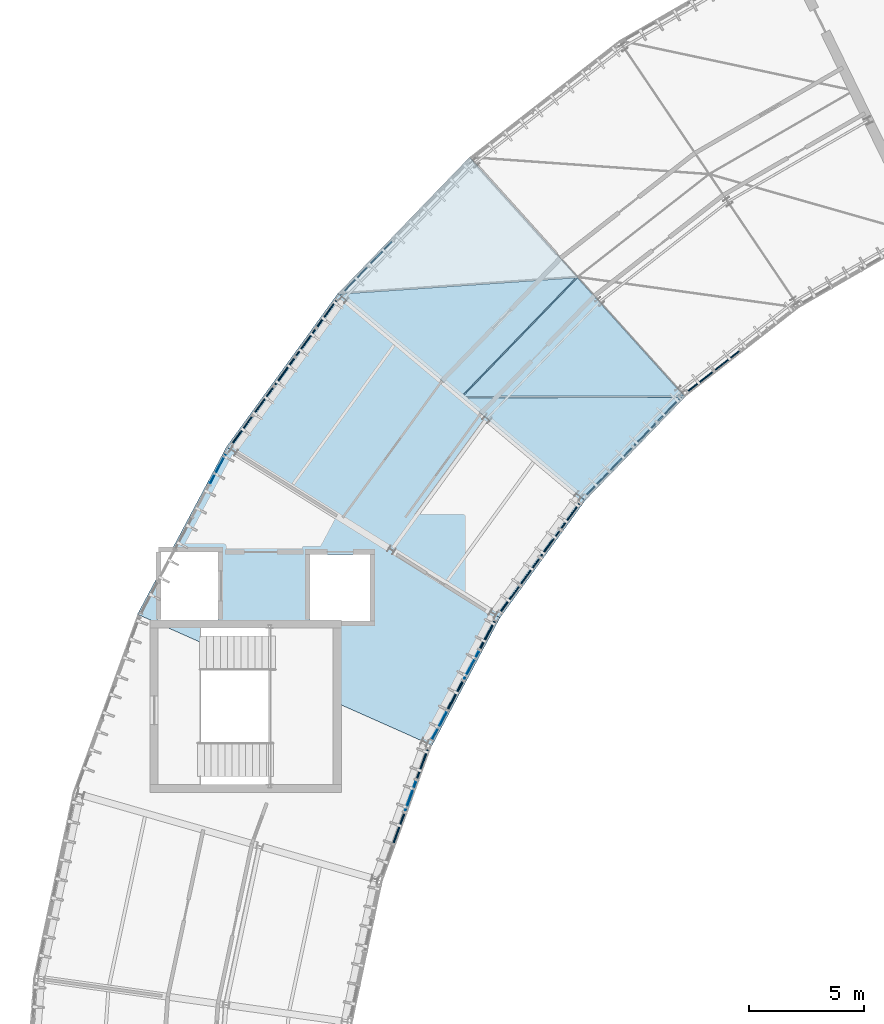
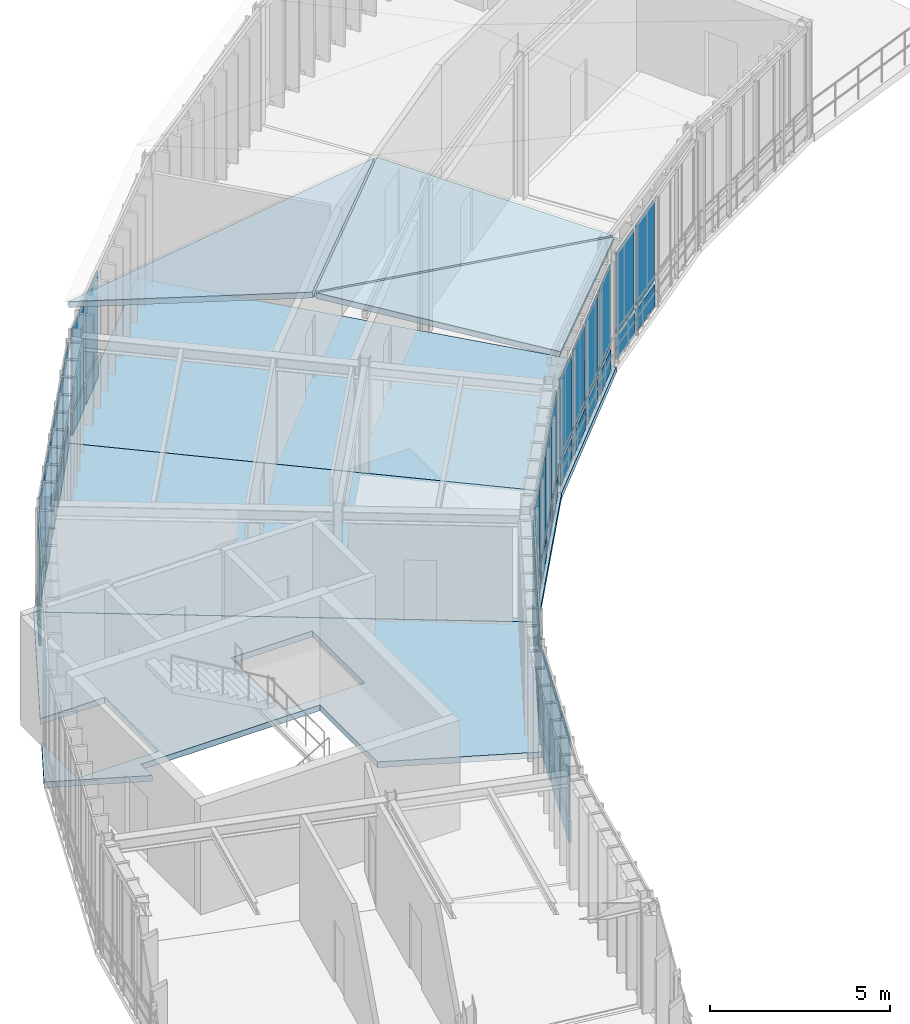
# One storey, part 11 of 25: 50 plates, 6 slabs, 8 elements without a shape of their own.
"""IFC4 building model written with IfcOpenShell, lengths in metres."""

from ifc_helpers import new_model, si_unit, direction, frame, origin, origin_2d, place, context, subcontext, project, spatial, polyline, rectangle, outline, extrude, material, layer, layer_set, type_object, element, aggregate, save


model = new_model("IFC4")

# Units and contexts
model_context = context("Model", 3, precision=1e-05, world=origin(), true_north=direction((0.0, 1.0)))
body_context = subcontext(model_context, "Body", "Model", "MODEL_VIEW")
ifc_project = project(units=[si_unit("LENGTHUNIT", "METRE"), si_unit("AREAUNIT", "SQUARE_METRE"), si_unit("VOLUMEUNIT", "CUBIC_METRE"), si_unit("PLANEANGLEUNIT", "RADIAN"), si_unit("MASSUNIT", "GRAM", prefix="KILO"), si_unit("THERMODYNAMICTEMPERATUREUNIT", "KELVIN"), si_unit("POWERUNIT", "WATT")], contexts=[model_context])

# Site, building, storey
site_placement = place(None, origin())
site = spatial("IfcSite", under=ifc_project, at=site_placement, CompositionType="ELEMENT")
building_placement = place(site_placement, origin())
building = spatial("IfcBuilding", under=site, at=building_placement, Name="Solvatero Civic Police Headquarters", CompositionType="ELEMENT")
storey_placement = place(building_placement, frame((0.0, 0.0, 25.5)))
storey = spatial("IfcBuildingStorey", under=building, at=storey_placement, Name="L06", CompositionType="ELEMENT", Elevation=25.5)

# Curtain wall, plate
ifc_material_1 = material(Name="Anodized Bronze Aluminium", Category="aluminium")
ifc_layer_1 = layer(ifc_material_1, 0.179931640625)
ifc_layer_set_1 = layer_set([ifc_layer_1], Name="Anodized Bronze Aluminium")
curtain_wall_type_1 = type_object("IfcCurtainWallType", Name="CW-ARC-IN", PredefinedType="USERDEFINED", material=ifc_layer_set_1)
curtain_wall_1_placement = place(storey_placement, origin())
curtain_wall_1 = element("IfcCurtainWall", 1, at=curtain_wall_1_placement, inside=storey, type_object=curtain_wall_type_1, Name="Curtain Wall CW-R2-L06-ARC-IN-B06", ObjectType="UNITISED", PredefinedType="USERDEFINED")
ifc_material_2 = material(Name="Triple Low-E Laminated Glass", Category="glass")
ifc_layer_2 = layer(ifc_material_2, 0.0380859375)
ifc_layer_set_2 = layer_set([ifc_layer_2], Name="Triple Low-E Laminated Glass")
plate_type_1 = type_object("IfcPlateType", Name="CWP-GLZ-38", PredefinedType="CURTAIN_PANEL", material=ifc_layer_set_2)
plate_1_placement = place(storey_placement, frame((64.53271484375, 60.09619140625, 0.909912109375), z_axis=(0.0, 0.0, 1.0), x_axis=(-0.788010753607, -0.615661475326, 0.0)))
plate_1 = element("IfcPlate", 2, at=plate_1_placement, type_object=plate_type_1, Name="CW-R2-L06-ARC-IN-B06 Vision Glazing 4", PredefinedType="CURTAIN_PANEL", context=body_context, shape_type="SweptSolid", body=[
    extrude(rectangle(XDim=1.309326171875, YDim=0.0380859375, at=origin_2d()), origin(), (0.0, 0.0, 1.0), 2.72998046875),
])

ifc_layer_3 = layer(ifc_material_1, 0.179931640625)
ifc_layer_set_3 = layer_set([ifc_layer_3], Name="Anodized Bronze Aluminium")
curtain_wall_type_2 = type_object("IfcCurtainWallType", Name="CW-ARC-OUT", PredefinedType="USERDEFINED", material=ifc_layer_set_3)
curtain_wall_2_placement = place(storey_placement, origin())
curtain_wall_2 = element("IfcCurtainWall", 3, at=curtain_wall_2_placement, inside=storey, type_object=curtain_wall_type_2, Name="Curtain Wall CW-R2-L06-ARC-OUT-B07", ObjectType="UNITISED", PredefinedType="USERDEFINED")
plate_2_placement = place(storey_placement, frame((49.57421875, 64.55029296875, 0.909912109375), z_axis=(0.0, 0.0, 1.0), x_axis=(-0.694658370459, -0.719339800339, 0.0)))
plate_2 = element("IfcPlate", 4, at=plate_2_placement, type_object=plate_type_1, Name="CW-R2-L06-ARC-OUT-B07 Vision Glazing 5", PredefinedType="CURTAIN_PANEL", context=body_context, shape_type="SweptSolid", body=[
    extrude(rectangle(XDim=1.382568359375, YDim=0.0380859375, at=origin_2d()), origin(), (0.0, 0.0, 1.0), 2.72998046875),
])

# Curtain wall, plates
curtain_wall_3_placement = place(storey_placement, origin())
curtain_wall_3 = element("IfcCurtainWall", 5, at=curtain_wall_3_placement, inside=storey, type_object=curtain_wall_type_1, Name="Curtain Wall CW-R2-L06-ARC-IN-B07", ObjectType="UNITISED", PredefinedType="USERDEFINED")
plate_3_placement = place(storey_placement, frame((62.13623046875, 57.798583984375, 0.909912109375), z_axis=(0.0, 0.0, 1.0), x_axis=(-0.694645815505, -0.719351924305, 0.0)))
plate_3 = element("IfcPlate", 6, at=plate_3_placement, type_object=plate_type_1, Name="CW-R2-L06-ARC-IN-B07 Vision Glazing 2", PredefinedType="CURTAIN_PANEL", context=body_context, shape_type="SweptSolid", body=[
    extrude(rectangle(XDim=1.30908203125, YDim=0.0380859375, at=origin_2d()), origin(), (0.0, 0.0, 1.0), 2.72998046875),
])
plate_4_placement = place(storey_placement, frame((60.067138671875, 55.656005859375, 0.909912109375), z_axis=(0.0, 0.0, 1.0), x_axis=(-0.694645815505, -0.719351924305, 0.0)))
plate_4 = element("IfcPlate", 7, at=plate_4_placement, type_object=plate_type_1, Name="CW-R2-L06-ARC-IN-B07 Vision Glazing 4", PredefinedType="CURTAIN_PANEL", context=body_context, shape_type="SweptSolid", body=[
    extrude(rectangle(XDim=1.30908203125, YDim=0.0380859375, at=origin_2d()), origin(), (0.0, 0.0, 1.0), 2.72998046875),
])

curtain_wall_4_placement = place(storey_placement, origin())
curtain_wall_4 = element("IfcCurtainWall", 8, at=curtain_wall_4_placement, inside=storey, type_object=curtain_wall_type_2, Name="Curtain Wall CW-R2-L06-ARC-OUT-B08", ObjectType="UNITISED", PredefinedType="USERDEFINED")
plate_5_placement = place(storey_placement, frame((48.32080078125, 63.056640625, 0.909912109375), z_axis=(0.0, 0.0, 1.0), x_axis=(-0.587785252292, -0.809016994375, 0.0)))
plate_5 = element("IfcPlate", 9, at=plate_5_placement, type_object=plate_type_1, Name="CW-R2-L06-ARC-OUT-B08 Vision Glazing 1", PredefinedType="CURTAIN_PANEL", context=body_context, shape_type="SweptSolid", body=[
    extrude(rectangle(XDim=1.382568359375, YDim=0.0380859375, at=origin_2d()), origin(), (0.0, 0.0, 1.0), 2.72998046875),
])
plate_6_placement = place(storey_placement, frame((46.484130859375, 60.528564453125, 0.909912109375), z_axis=(0.0, 0.0, 1.0), x_axis=(-0.587785252292, -0.809016994375, 0.0)))
plate_6 = element("IfcPlate", 10, at=plate_6_placement, type_object=plate_type_1, Name="CW-R2-L06-ARC-OUT-B08 Vision Glazing 3", PredefinedType="CURTAIN_PANEL", context=body_context, shape_type="SweptSolid", body=[
    extrude(rectangle(XDim=1.382568359375, YDim=0.0380859375, at=origin_2d()), origin(), (0.0, 0.0, 1.0), 2.72998046875),
])
plate_7_placement = place(storey_placement, frame((44.647216796875, 58.000244140625, 0.909912109375), z_axis=(0.0, 0.0, 1.0), x_axis=(-0.587785252292, -0.809016994375, 0.0)))
plate_7 = element("IfcPlate", 11, at=plate_7_placement, type_object=plate_type_1, Name="CW-R2-L06-ARC-OUT-B08 Vision Glazing 5", PredefinedType="CURTAIN_PANEL", context=body_context, shape_type="SweptSolid", body=[
    extrude(rectangle(XDim=1.382568359375, YDim=0.0380859375, at=origin_2d()), origin(), (0.0, 0.0, 1.0), 2.72998046875),
])

curtain_wall_5_placement = place(storey_placement, origin())
curtain_wall_5 = element("IfcCurtainWall", 12, at=curtain_wall_5_placement, inside=storey, type_object=curtain_wall_type_1, Name="Curtain Wall CW-R2-L06-ARC-IN-B08", ObjectType="UNITISED", PredefinedType="USERDEFINED")
plate_8_placement = place(storey_placement, frame((58.026611328125, 53.062744140625, 0.909912109375), z_axis=(0.0, 0.0, 1.0), x_axis=(-0.587785252292, -0.809016994375, 0.0)))
plate_8 = element("IfcPlate", 13, at=plate_8_placement, type_object=plate_type_1, Name="CW-R2-L06-ARC-IN-B08 Vision Glazing 2", PredefinedType="CURTAIN_PANEL", context=body_context, shape_type="SweptSolid", body=[
    extrude(rectangle(XDim=1.30908203125, YDim=0.0380859375, at=origin_2d()), origin(), (0.0, 0.0, 1.0), 2.72998046875),
])
plate_9_placement = place(storey_placement, frame((56.27587890625, 50.653076171875, 0.909912109375), z_axis=(0.0, 0.0, 1.0), x_axis=(-0.587785252292, -0.809016994375, 0.0)))
plate_9 = element("IfcPlate", 14, at=plate_9_placement, type_object=plate_type_1, Name="CW-R2-L06-ARC-IN-B08 Vision Glazing 4", PredefinedType="CURTAIN_PANEL", context=body_context, shape_type="SweptSolid", body=[
    extrude(rectangle(XDim=1.30908203125, YDim=0.0380859375, at=origin_2d()), origin(), (0.0, 0.0, 1.0), 2.72998046875),
])

# Curtain wall, plate
curtain_wall_6_placement = place(storey_placement, origin())
curtain_wall_6 = element("IfcCurtainWall", 15, at=curtain_wall_6_placement, inside=storey, type_object=curtain_wall_type_2, Name="Curtain Wall CW-R2-L06-ARC-OUT-B09", ObjectType="UNITISED", PredefinedType="USERDEFINED")
plate_10_placement = place(storey_placement, frame((43.596923828125, 56.318115234375, 0.909912109375), z_axis=(0.0, 0.0, 1.0), x_axis=(-0.469471562786, -0.882947592859, 0.0)))
plate_10 = element("IfcPlate", 16, at=plate_10_placement, type_object=plate_type_1, Name="CW-R2-L06-ARC-OUT-B09 Vision Glazing 1", PredefinedType="CURTAIN_PANEL", context=body_context, shape_type="SweptSolid", body=[
    extrude(rectangle(XDim=1.40966796875, YDim=0.0380859375, at=origin_2d()), origin(), (0.0, 0.0, 1.0), 2.72998046875),
])

# Curtain wall, plates
curtain_wall_7_placement = place(storey_placement, origin())
curtain_wall_7 = element("IfcCurtainWall", 17, at=curtain_wall_7_placement, inside=storey, type_object=curtain_wall_type_1, Name="Curtain Wall CW-R2-L06-ARC-IN-B09", ObjectType="UNITISED", PredefinedType="USERDEFINED")
plate_11_placement = place(storey_placement, frame((54.605712890625, 47.783935546875, 0.909912109375), z_axis=(0.0, 0.0, 1.0), x_axis=(-0.469486973057, -0.8829393989, 0.0)))
plate_11 = element("IfcPlate", 18, at=plate_11_placement, type_object=plate_type_1, Name="CW-R2-L06-ARC-IN-B09 Vision Glazing 2", PredefinedType="CURTAIN_PANEL", context=body_context, shape_type="SweptSolid", body=[
    extrude(rectangle(XDim=1.30908203125, YDim=0.0380859375, at=origin_2d()), origin(), (0.0, 0.0, 1.0), 2.72998046875),
])
plate_12_placement = place(storey_placement, frame((53.207275390625, 45.154052734375, 0.909912109375), z_axis=(0.0, 0.0, 1.0), x_axis=(-0.469486973057, -0.8829393989, 0.0)))
plate_12 = element("IfcPlate", 19, at=plate_12_placement, type_object=plate_type_1, Name="CW-R2-L06-ARC-IN-B09 Vision Glazing 4", PredefinedType="CURTAIN_PANEL", context=body_context, shape_type="SweptSolid", body=[
    extrude(rectangle(XDim=1.30908203125, YDim=0.0380859375, at=origin_2d()), origin(), (0.0, 0.0, 1.0), 2.72998046875),
])

# Curtain wall, plate
curtain_wall_8_placement = place(storey_placement, origin())
curtain_wall_8 = element("IfcCurtainWall", 20, at=curtain_wall_8_placement, inside=storey, type_object=curtain_wall_type_1, Name="Curtain Wall CW-R2-L06-ARC-IN-B10", ObjectType="UNITISED", PredefinedType="USERDEFINED")
plate_13_placement = place(storey_placement, frame((51.960693359375, 42.098876953125, 0.909912109375), z_axis=(0.0, 0.0, 1.0), x_axis=(-0.342003742543, -0.93969859002, 0.0)))
plate_13 = element("IfcPlate", 21, at=plate_13_placement, type_object=plate_type_1, Name="CW-R2-L06-ARC-IN-B10 Vision Glazing 2", PredefinedType="CURTAIN_PANEL", context=body_context, shape_type="SweptSolid", body=[
    extrude(rectangle(XDim=1.30908203125, YDim=0.0380859375, at=origin_2d()), origin(), (0.0, 0.0, 1.0), 2.72998046875),
])

# Plate
ifc_material_3 = material(Name="Acoustic Ballistic Laminated Glass", Category="glass")
ifc_layer_4 = layer(ifc_material_3, 0.0439453125)
ifc_layer_set_4 = layer_set([ifc_layer_4], Name="Acoustic Ballistic Laminated Glass")
plate_type_2 = type_object("IfcPlateType", Name="CWP-GLZ-44", PredefinedType="CURTAIN_PANEL", material=ifc_layer_set_4)
plate_14_placement = place(storey_placement, frame((65.7060546875, 61.01318359375, 0.909912109375), z_axis=(0.0, 0.0, 1.0), x_axis=(-0.788010753607, -0.615661475326, 0.0)))
plate_14 = element("IfcPlate", 22, at=plate_14_placement, type_object=plate_type_2, Name="CW-R2-L06-ARC-IN-B06 Vision Glazing 3", PredefinedType="CURTAIN_PANEL", context=body_context, shape_type="SweptSolid", body=[
    extrude(rectangle(XDim=1.309326171875, YDim=0.0439453125, at=origin_2d()), origin(), (0.0, 0.0, 1.0), 2.72998046875),
])

plate_15_placement = place(storey_placement, frame((50.65966796875, 65.67431640625, 0.909912109375), z_axis=(0.0, 0.0, 1.0), x_axis=(-0.694658370459, -0.719339800339, 0.0)))
plate_15 = element("IfcPlate", 23, at=plate_15_placement, type_object=plate_type_2, Name="CW-R2-L06-ARC-OUT-B07 Vision Glazing 4", PredefinedType="CURTAIN_PANEL", context=body_context, shape_type="SweptSolid", body=[
    extrude(rectangle(XDim=1.382568359375, YDim=0.0439453125, at=origin_2d()), origin(), (0.0, 0.0, 1.0), 2.72998046875),
])

plate_16_placement = place(storey_placement, frame((63.170654296875, 58.869873046875, 0.909912109375), z_axis=(0.0, 0.0, 1.0), x_axis=(-0.694645815505, -0.719351924305, 0.0)))
plate_16 = element("IfcPlate", 24, at=plate_16_placement, type_object=plate_type_2, Name="CW-R2-L06-ARC-IN-B07 Vision Glazing 1", PredefinedType="CURTAIN_PANEL", context=body_context, shape_type="SweptSolid", body=[
    extrude(rectangle(XDim=1.30908203125, YDim=0.0439453125, at=origin_2d()), origin(), (0.0, 0.0, 1.0), 2.72998046875),
])

plate_17_placement = place(storey_placement, frame((61.101806640625, 56.727294921875, 0.909912109375), z_axis=(0.0, 0.0, 1.0), x_axis=(-0.694645815505, -0.719351924305, 0.0)))
plate_17 = element("IfcPlate", 25, at=plate_17_placement, type_object=plate_type_2, Name="CW-R2-L06-ARC-IN-B07 Vision Glazing 3", PredefinedType="CURTAIN_PANEL", context=body_context, shape_type="SweptSolid", body=[
    extrude(rectangle(XDim=1.30908203125, YDim=0.0439453125, at=origin_2d()), origin(), (0.0, 0.0, 1.0), 2.72998046875),
])

plate_18_placement = place(storey_placement, frame((47.402587890625, 61.79248046875, 0.909912109375), z_axis=(0.0, 0.0, 1.0), x_axis=(-0.587785252292, -0.809016994375, 0.0)))
plate_18 = element("IfcPlate", 26, at=plate_18_placement, type_object=plate_type_2, Name="CW-R2-L06-ARC-OUT-B08 Vision Glazing 2", PredefinedType="CURTAIN_PANEL", context=body_context, shape_type="SweptSolid", body=[
    extrude(rectangle(XDim=1.382568359375, YDim=0.0439453125, at=origin_2d()), origin(), (0.0, 0.0, 1.0), 2.72998046875),
])

plate_19_placement = place(storey_placement, frame((45.565673828125, 59.264404296875, 0.909912109375), z_axis=(0.0, 0.0, 1.0), x_axis=(-0.587785252292, -0.809016994375, 0.0)))
plate_19 = element("IfcPlate", 27, at=plate_19_placement, type_object=plate_type_2, Name="CW-R2-L06-ARC-OUT-B08 Vision Glazing 4", PredefinedType="CURTAIN_PANEL", context=body_context, shape_type="SweptSolid", body=[
    extrude(rectangle(XDim=1.382568359375, YDim=0.0439453125, at=origin_2d()), origin(), (0.0, 0.0, 1.0), 2.72998046875),
])

plate_20_placement = place(storey_placement, frame((58.902099609375, 54.267578125, 0.909912109375), z_axis=(0.0, 0.0, 1.0), x_axis=(-0.587785252292, -0.809016994375, 0.0)))
plate_20 = element("IfcPlate", 28, at=plate_20_placement, type_object=plate_type_2, Name="CW-R2-L06-ARC-IN-B08 Vision Glazing 1", PredefinedType="CURTAIN_PANEL", context=body_context, shape_type="SweptSolid", body=[
    extrude(rectangle(XDim=1.30908203125, YDim=0.0439453125, at=origin_2d()), origin(), (0.0, 0.0, 1.0), 2.72998046875),
])

plate_21_placement = place(storey_placement, frame((57.1513671875, 51.85791015625, 0.909912109375), z_axis=(0.0, 0.0, 1.0), x_axis=(-0.587785252292, -0.809016994375, 0.0)))
plate_21 = element("IfcPlate", 29, at=plate_21_placement, type_object=plate_type_2, Name="CW-R2-L06-ARC-IN-B08 Vision Glazing 3", PredefinedType="CURTAIN_PANEL", context=body_context, shape_type="SweptSolid", body=[
    extrude(rectangle(XDim=1.30908203125, YDim=0.0439453125, at=origin_2d()), origin(), (0.0, 0.0, 1.0), 2.72998046875),
])

plate_22_placement = place(storey_placement, frame((55.3046875, 49.098876953125, 0.909912109375), z_axis=(0.0, 0.0, 1.0), x_axis=(-0.469486973057, -0.8829393989, 0.0)))
plate_22 = element("IfcPlate", 30, at=plate_22_placement, type_object=plate_type_2, Name="CW-R2-L06-ARC-IN-B09 Vision Glazing 1", PredefinedType="CURTAIN_PANEL", context=body_context, shape_type="SweptSolid", body=[
    extrude(rectangle(XDim=1.30908203125, YDim=0.0439453125, at=origin_2d()), origin(), (0.0, 0.0, 1.0), 2.72998046875),
])

plate_23_placement = place(storey_placement, frame((53.906494140625, 46.468994140625, 0.909912109375), z_axis=(0.0, 0.0, 1.0), x_axis=(-0.469486973057, -0.8829393989, 0.0)))
plate_23 = element("IfcPlate", 31, at=plate_23_placement, type_object=plate_type_2, Name="CW-R2-L06-ARC-IN-B09 Vision Glazing 3", PredefinedType="CURTAIN_PANEL", context=body_context, shape_type="SweptSolid", body=[
    extrude(rectangle(XDim=1.30908203125, YDim=0.0439453125, at=origin_2d()), origin(), (0.0, 0.0, 1.0), 2.72998046875),
])

plate_24_placement = place(storey_placement, frame((52.469970703125, 43.498291015625, 0.909912109375), z_axis=(0.0, 0.0, 1.0), x_axis=(-0.342003742543, -0.93969859002, 0.0)))
plate_24 = element("IfcPlate", 32, at=plate_24_placement, type_object=plate_type_2, Name="CW-R2-L06-ARC-IN-B10 Vision Glazing 1", PredefinedType="CURTAIN_PANEL", context=body_context, shape_type="SweptSolid", body=[
    extrude(rectangle(XDim=1.30908203125, YDim=0.0439453125, at=origin_2d()), origin(), (0.0, 0.0, 1.0), 2.72998046875),
])

plate_25_placement = place(storey_placement, frame((51.451416015625, 40.699462890625, 0.909912109375), z_axis=(0.0, 0.0, 1.0), x_axis=(-0.342003742543, -0.93969859002, 0.0)))
plate_25 = element("IfcPlate", 33, at=plate_25_placement, type_object=plate_type_2, Name="CW-R2-L06-ARC-IN-B10 Vision Glazing 3", PredefinedType="CURTAIN_PANEL", context=body_context, shape_type="SweptSolid", body=[
    extrude(rectangle(XDim=1.30908203125, YDim=0.0439453125, at=origin_2d()), origin(), (0.0, 0.0, 1.0), 2.72998046875),
])

ifc_material_4 = material(Name="Insulated Bronze Aluminium Spandrel", Category="aluminium")
ifc_layer_5 = layer(ifc_material_4, 0.06005859375)
ifc_layer_set_5 = layer_set([ifc_layer_5], Name="Insulated Bronze Aluminium Spandrel")
plate_type_3 = type_object("IfcPlateType", Name="CWP-SPN-60", PredefinedType="CURTAIN_PANEL", material=ifc_layer_set_5)
plate_26_placement = place(storey_placement, frame((64.53271484375, 60.09619140625, 0.06005859375), z_axis=(0.0, 0.0, 1.0), x_axis=(-0.788010753607, -0.615661475326, 0.0)))
plate_26 = element("IfcPlate", 34, at=plate_26_placement, type_object=plate_type_3, Name="CW-R2-L06-ARC-IN-B06 Spandrel Panel 4", PredefinedType="CURTAIN_PANEL", context=body_context, shape_type="SweptSolid", body=[
    extrude(rectangle(XDim=1.309326171875, YDim=0.06005859375, at=origin_2d()), origin(), (0.0, 0.0, 1.0), 0.72998046875),
])

plate_27_placement = place(storey_placement, frame((49.57421875, 64.55029296875, 0.06005859375), z_axis=(0.0, 0.0, 1.0), x_axis=(-0.694658370459, -0.719339800339, 0.0)))
plate_27 = element("IfcPlate", 35, at=plate_27_placement, type_object=plate_type_3, Name="CW-R2-L06-ARC-OUT-B07 Spandrel Panel 5", PredefinedType="CURTAIN_PANEL", context=body_context, shape_type="SweptSolid", body=[
    extrude(rectangle(XDim=1.382568359375, YDim=0.06005859375, at=origin_2d()), origin(), (0.0, 0.0, 1.0), 0.72998046875),
])

plate_28_placement = place(storey_placement, frame((62.13623046875, 57.798583984375, 0.06005859375), z_axis=(0.0, 0.0, 1.0), x_axis=(-0.694645815505, -0.719351924305, 0.0)))
plate_28 = element("IfcPlate", 36, at=plate_28_placement, type_object=plate_type_3, Name="CW-R2-L06-ARC-IN-B07 Spandrel Panel 2", PredefinedType="CURTAIN_PANEL", context=body_context, shape_type="SweptSolid", body=[
    extrude(rectangle(XDim=1.30908203125, YDim=0.06005859375, at=origin_2d()), origin(), (0.0, 0.0, 1.0), 0.72998046875),
])

plate_29_placement = place(storey_placement, frame((60.067138671875, 55.656005859375, 0.06005859375), z_axis=(0.0, 0.0, 1.0), x_axis=(-0.694645815505, -0.719351924305, 0.0)))
plate_29 = element("IfcPlate", 37, at=plate_29_placement, type_object=plate_type_3, Name="CW-R2-L06-ARC-IN-B07 Spandrel Panel 4", PredefinedType="CURTAIN_PANEL", context=body_context, shape_type="SweptSolid", body=[
    extrude(rectangle(XDim=1.30908203125, YDim=0.06005859375, at=origin_2d()), origin(), (0.0, 0.0, 1.0), 0.72998046875),
])

plate_30_placement = place(storey_placement, frame((48.32080078125, 63.056640625, 0.06005859375), z_axis=(0.0, 0.0, 1.0), x_axis=(-0.587785252292, -0.809016994375, 0.0)))
plate_30 = element("IfcPlate", 38, at=plate_30_placement, type_object=plate_type_3, Name="CW-R2-L06-ARC-OUT-B08 Spandrel Panel 1", PredefinedType="CURTAIN_PANEL", context=body_context, shape_type="SweptSolid", body=[
    extrude(rectangle(XDim=1.382568359375, YDim=0.06005859375, at=origin_2d()), origin(), (0.0, 0.0, 1.0), 0.72998046875),
])

plate_31_placement = place(storey_placement, frame((46.484130859375, 60.528564453125, 0.06005859375), z_axis=(0.0, 0.0, 1.0), x_axis=(-0.587785252292, -0.809016994375, 0.0)))
plate_31 = element("IfcPlate", 39, at=plate_31_placement, type_object=plate_type_3, Name="CW-R2-L06-ARC-OUT-B08 Spandrel Panel 3", PredefinedType="CURTAIN_PANEL", context=body_context, shape_type="SweptSolid", body=[
    extrude(rectangle(XDim=1.382568359375, YDim=0.06005859375, at=origin_2d()), origin(), (0.0, 0.0, 1.0), 0.72998046875),
])

plate_32_placement = place(storey_placement, frame((44.647216796875, 58.000244140625, 0.06005859375), z_axis=(0.0, 0.0, 1.0), x_axis=(-0.587785252292, -0.809016994375, 0.0)))
plate_32 = element("IfcPlate", 40, at=plate_32_placement, type_object=plate_type_3, Name="CW-R2-L06-ARC-OUT-B08 Spandrel Panel 5", PredefinedType="CURTAIN_PANEL", context=body_context, shape_type="SweptSolid", body=[
    extrude(rectangle(XDim=1.382568359375, YDim=0.06005859375, at=origin_2d()), origin(), (0.0, 0.0, 1.0), 0.72998046875),
])

plate_33_placement = place(storey_placement, frame((58.026611328125, 53.062744140625, 0.06005859375), z_axis=(0.0, 0.0, 1.0), x_axis=(-0.587785252292, -0.809016994375, 0.0)))
plate_33 = element("IfcPlate", 41, at=plate_33_placement, type_object=plate_type_3, Name="CW-R2-L06-ARC-IN-B08 Spandrel Panel 2", PredefinedType="CURTAIN_PANEL", context=body_context, shape_type="SweptSolid", body=[
    extrude(rectangle(XDim=1.30908203125, YDim=0.06005859375, at=origin_2d()), origin(), (0.0, 0.0, 1.0), 0.72998046875),
])

plate_34_placement = place(storey_placement, frame((56.27587890625, 50.653076171875, 0.06005859375), z_axis=(0.0, 0.0, 1.0), x_axis=(-0.587785252292, -0.809016994375, 0.0)))
plate_34 = element("IfcPlate", 42, at=plate_34_placement, type_object=plate_type_3, Name="CW-R2-L06-ARC-IN-B08 Spandrel Panel 4", PredefinedType="CURTAIN_PANEL", context=body_context, shape_type="SweptSolid", body=[
    extrude(rectangle(XDim=1.30908203125, YDim=0.06005859375, at=origin_2d()), origin(), (0.0, 0.0, 1.0), 0.72998046875),
])

plate_35_placement = place(storey_placement, frame((43.596923828125, 56.318115234375, 0.06005859375), z_axis=(0.0, 0.0, 1.0), x_axis=(-0.469471562786, -0.882947592859, 0.0)))
plate_35 = element("IfcPlate", 43, at=plate_35_placement, type_object=plate_type_3, Name="CW-R2-L06-ARC-OUT-B09 Spandrel Panel 1", PredefinedType="CURTAIN_PANEL", context=body_context, shape_type="SweptSolid", body=[
    extrude(rectangle(XDim=1.40966796875, YDim=0.06005859375, at=origin_2d()), origin(), (0.0, 0.0, 1.0), 0.72998046875),
])

aggregate(curtain_wall_6, [plate_35, plate_10])

plate_36_placement = place(storey_placement, frame((54.605712890625, 47.783935546875, 0.06005859375), z_axis=(0.0, 0.0, 1.0), x_axis=(-0.469486973057, -0.8829393989, 0.0)))
plate_36 = element("IfcPlate", 44, at=plate_36_placement, type_object=plate_type_3, Name="CW-R2-L06-ARC-IN-B09 Spandrel Panel 2", PredefinedType="CURTAIN_PANEL", context=body_context, shape_type="SweptSolid", body=[
    extrude(rectangle(XDim=1.30908203125, YDim=0.06005859375, at=origin_2d()), origin(), (0.0, 0.0, 1.0), 0.72998046875),
])

plate_37_placement = place(storey_placement, frame((53.207275390625, 45.154052734375, 0.06005859375), z_axis=(0.0, 0.0, 1.0), x_axis=(-0.469486973057, -0.8829393989, 0.0)))
plate_37 = element("IfcPlate", 45, at=plate_37_placement, type_object=plate_type_3, Name="CW-R2-L06-ARC-IN-B09 Spandrel Panel 4", PredefinedType="CURTAIN_PANEL", context=body_context, shape_type="SweptSolid", body=[
    extrude(rectangle(XDim=1.30908203125, YDim=0.06005859375, at=origin_2d()), origin(), (0.0, 0.0, 1.0), 0.72998046875),
])

plate_38_placement = place(storey_placement, frame((51.960693359375, 42.098876953125, 0.06005859375), z_axis=(0.0, 0.0, 1.0), x_axis=(-0.342003742543, -0.93969859002, 0.0)))
plate_38 = element("IfcPlate", 46, at=plate_38_placement, type_object=plate_type_3, Name="CW-R2-L06-ARC-IN-B10 Spandrel Panel 2", PredefinedType="CURTAIN_PANEL", context=body_context, shape_type="SweptSolid", body=[
    extrude(rectangle(XDim=1.30908203125, YDim=0.06005859375, at=origin_2d()), origin(), (0.0, 0.0, 1.0), 0.72998046875),
])

ifc_material_5 = material(Name="Limestone Veneer Spandrel Panel", Category="masonry")
ifc_layer_6 = layer(ifc_material_5, 0.074951171875)
ifc_layer_set_6 = layer_set([ifc_layer_6], Name="Limestone Veneer Spandrel Panel")
plate_type_4 = type_object("IfcPlateType", Name="CWP-SPN-75", PredefinedType="CURTAIN_PANEL", material=ifc_layer_set_6)
plate_39_placement = place(storey_placement, frame((65.7060546875, 61.01318359375, 0.06005859375), z_axis=(0.0, 0.0, 1.0), x_axis=(-0.788010753607, -0.615661475326, 0.0)))
plate_39 = element("IfcPlate", 47, at=plate_39_placement, type_object=plate_type_4, Name="CW-R2-L06-ARC-IN-B06 Spandrel Panel 3", PredefinedType="CURTAIN_PANEL", context=body_context, shape_type="SweptSolid", body=[
    extrude(rectangle(XDim=1.309326171875, YDim=0.074951171875, at=origin_2d()), origin(), (0.0, 0.0, 1.0), 0.72998046875),
])

aggregate(curtain_wall_1, [plate_39, plate_14, plate_26, plate_1])

plate_40_placement = place(storey_placement, frame((50.65966796875, 65.67431640625, 0.06005859375), z_axis=(0.0, 0.0, 1.0), x_axis=(-0.694658370459, -0.719339800339, 0.0)))
plate_40 = element("IfcPlate", 48, at=plate_40_placement, type_object=plate_type_4, Name="CW-R2-L06-ARC-OUT-B07 Spandrel Panel 4", PredefinedType="CURTAIN_PANEL", context=body_context, shape_type="SweptSolid", body=[
    extrude(rectangle(XDim=1.382568359375, YDim=0.074951171875, at=origin_2d()), origin(), (0.0, 0.0, 1.0), 0.72998046875),
])

aggregate(curtain_wall_2, [plate_40, plate_15, plate_27, plate_2])

plate_41_placement = place(storey_placement, frame((63.170654296875, 58.869873046875, 0.06005859375), z_axis=(0.0, 0.0, 1.0), x_axis=(-0.694645815505, -0.719351924305, 0.0)))
plate_41 = element("IfcPlate", 49, at=plate_41_placement, type_object=plate_type_4, Name="CW-R2-L06-ARC-IN-B07 Spandrel Panel 1", PredefinedType="CURTAIN_PANEL", context=body_context, shape_type="SweptSolid", body=[
    extrude(rectangle(XDim=1.30908203125, YDim=0.074951171875, at=origin_2d()), origin(), (0.0, 0.0, 1.0), 0.72998046875),
])

plate_42_placement = place(storey_placement, frame((61.101806640625, 56.727294921875, 0.06005859375), z_axis=(0.0, 0.0, 1.0), x_axis=(-0.694645815505, -0.719351924305, 0.0)))
plate_42 = element("IfcPlate", 50, at=plate_42_placement, type_object=plate_type_4, Name="CW-R2-L06-ARC-IN-B07 Spandrel Panel 3", PredefinedType="CURTAIN_PANEL", context=body_context, shape_type="SweptSolid", body=[
    extrude(rectangle(XDim=1.30908203125, YDim=0.074951171875, at=origin_2d()), origin(), (0.0, 0.0, 1.0), 0.72998046875),
])

aggregate(curtain_wall_3, [plate_41, plate_16, plate_28, plate_3, plate_42, plate_17, plate_29, plate_4])

plate_43_placement = place(storey_placement, frame((47.402587890625, 61.79248046875, 0.06005859375), z_axis=(0.0, 0.0, 1.0), x_axis=(-0.587785252292, -0.809016994375, 0.0)))
plate_43 = element("IfcPlate", 51, at=plate_43_placement, type_object=plate_type_4, Name="CW-R2-L06-ARC-OUT-B08 Spandrel Panel 2", PredefinedType="CURTAIN_PANEL", context=body_context, shape_type="SweptSolid", body=[
    extrude(rectangle(XDim=1.382568359375, YDim=0.074951171875, at=origin_2d()), origin(), (0.0, 0.0, 1.0), 0.72998046875),
])

plate_44_placement = place(storey_placement, frame((45.565673828125, 59.264404296875, 0.06005859375), z_axis=(0.0, 0.0, 1.0), x_axis=(-0.587785252292, -0.809016994375, 0.0)))
plate_44 = element("IfcPlate", 52, at=plate_44_placement, type_object=plate_type_4, Name="CW-R2-L06-ARC-OUT-B08 Spandrel Panel 4", PredefinedType="CURTAIN_PANEL", context=body_context, shape_type="SweptSolid", body=[
    extrude(rectangle(XDim=1.382568359375, YDim=0.074951171875, at=origin_2d()), origin(), (0.0, 0.0, 1.0), 0.72998046875),
])

aggregate(curtain_wall_4, [plate_30, plate_5, plate_43, plate_18, plate_31, plate_6, plate_44, plate_19, plate_32, plate_7])

plate_45_placement = place(storey_placement, frame((58.902099609375, 54.267578125, 0.06005859375), z_axis=(0.0, 0.0, 1.0), x_axis=(-0.587785252292, -0.809016994375, 0.0)))
plate_45 = element("IfcPlate", 53, at=plate_45_placement, type_object=plate_type_4, Name="CW-R2-L06-ARC-IN-B08 Spandrel Panel 1", PredefinedType="CURTAIN_PANEL", context=body_context, shape_type="SweptSolid", body=[
    extrude(rectangle(XDim=1.30908203125, YDim=0.074951171875, at=origin_2d()), origin(), (0.0, 0.0, 1.0), 0.72998046875),
])

plate_46_placement = place(storey_placement, frame((57.1513671875, 51.85791015625, 0.06005859375), z_axis=(0.0, 0.0, 1.0), x_axis=(-0.587785252292, -0.809016994375, 0.0)))
plate_46 = element("IfcPlate", 54, at=plate_46_placement, type_object=plate_type_4, Name="CW-R2-L06-ARC-IN-B08 Spandrel Panel 3", PredefinedType="CURTAIN_PANEL", context=body_context, shape_type="SweptSolid", body=[
    extrude(rectangle(XDim=1.30908203125, YDim=0.074951171875, at=origin_2d()), origin(), (0.0, 0.0, 1.0), 0.72998046875),
])

aggregate(curtain_wall_5, [plate_45, plate_20, plate_33, plate_8, plate_46, plate_21, plate_34, plate_9])

plate_47_placement = place(storey_placement, frame((55.3046875, 49.098876953125, 0.06005859375), z_axis=(0.0, 0.0, 1.0), x_axis=(-0.469486973057, -0.8829393989, 0.0)))
plate_47 = element("IfcPlate", 55, at=plate_47_placement, type_object=plate_type_4, Name="CW-R2-L06-ARC-IN-B09 Spandrel Panel 1", PredefinedType="CURTAIN_PANEL", context=body_context, shape_type="SweptSolid", body=[
    extrude(rectangle(XDim=1.30908203125, YDim=0.074951171875, at=origin_2d()), origin(), (0.0, 0.0, 1.0), 0.72998046875),
])

plate_48_placement = place(storey_placement, frame((53.906494140625, 46.468994140625, 0.06005859375), z_axis=(0.0, 0.0, 1.0), x_axis=(-0.469486973057, -0.8829393989, 0.0)))
plate_48 = element("IfcPlate", 56, at=plate_48_placement, type_object=plate_type_4, Name="CW-R2-L06-ARC-IN-B09 Spandrel Panel 3", PredefinedType="CURTAIN_PANEL", context=body_context, shape_type="SweptSolid", body=[
    extrude(rectangle(XDim=1.30908203125, YDim=0.074951171875, at=origin_2d()), origin(), (0.0, 0.0, 1.0), 0.72998046875),
])

aggregate(curtain_wall_7, [plate_47, plate_22, plate_36, plate_11, plate_48, plate_23, plate_37, plate_12])

plate_49_placement = place(storey_placement, frame((52.469970703125, 43.498291015625, 0.06005859375), z_axis=(0.0, 0.0, 1.0), x_axis=(-0.342003742543, -0.93969859002, 0.0)))
plate_49 = element("IfcPlate", 57, at=plate_49_placement, type_object=plate_type_4, Name="CW-R2-L06-ARC-IN-B10 Spandrel Panel 1", PredefinedType="CURTAIN_PANEL", context=body_context, shape_type="SweptSolid", body=[
    extrude(rectangle(XDim=1.30908203125, YDim=0.074951171875, at=origin_2d()), origin(), (0.0, 0.0, 1.0), 0.72998046875),
])

plate_50_placement = place(storey_placement, frame((51.451416015625, 40.699462890625, 0.06005859375), z_axis=(0.0, 0.0, 1.0), x_axis=(-0.342003742543, -0.93969859002, 0.0)))
plate_50 = element("IfcPlate", 58, at=plate_50_placement, type_object=plate_type_4, Name="CW-R2-L06-ARC-IN-B10 Spandrel Panel 3", PredefinedType="CURTAIN_PANEL", context=body_context, shape_type="SweptSolid", body=[
    extrude(rectangle(XDim=1.30908203125, YDim=0.074951171875, at=origin_2d()), origin(), (0.0, 0.0, 1.0), 0.72998046875),
])

aggregate(curtain_wall_8, [plate_49, plate_24, plate_38, plate_13, plate_50, plate_25])

# Slabs
ifc_material_6 = material(Name="Concrete C35/45", Category="concrete")
ifc_layer_7 = layer(ifc_material_6, 0.199951171875)
ifc_layer_set_7 = layer_set([ifc_layer_7], Name="Concrete C35/45")
slab_type_1 = type_object("IfcSlabType", Name="SLB-COMP-200", PredefinedType="FLOOR", material=ifc_layer_set_7)
slab_1_placement = place(storey_placement, frame((0.0, 0.0, -0.199951171875)))
element("IfcSlab", 59, at=slab_1_placement, inside=storey, type_object=slab_type_1, Name="L06 Operations Arc Floor Slab Bay 7", PredefinedType="FLOOR", context=body_context, shape_type="SweptSolid", body=[
    extrude(outline(polyline([(54.52001953125, 69.843994140625), (63.8876953125, 59.440185546875), (59.528076171875, 54.92529296875), (48.803466796875, 63.924560546875), (54.52001953125, 69.843994140625)])), origin(), (0.0, 0.0, 1.0), 0.199951171875),
])
slab_2_placement = place(storey_placement, frame((0.0, 0.0, -0.199951171875)))
element("IfcSlab", 60, at=slab_2_placement, inside=storey, type_object=slab_type_1, Name="L06 Operations Arc Floor Slab Bay 8", PredefinedType="FLOOR", context=body_context, shape_type="SweptSolid", body=[
    extrude(outline(polyline([(48.80224609375, 63.9228515625), (59.52685546875, 54.923828125), (55.837890625, 49.846435546875), (43.965087890625, 57.26513671875), (48.80224609375, 63.9228515625)])), origin(), (0.0, 0.0, 1.0), 0.199951171875),
])
slab_3_placement = place(storey_placement, frame((0.0, 0.0, -0.199951171875)))
element("IfcSlab", 61, at=slab_3_placement, inside=storey, type_object=slab_type_1, Name="L06 Operations Arc Floor Slab Bay 9", PredefinedType="FLOOR", context=body_context, shape_type="SweptSolid", body=[
    extrude(outline(polyline([(52.890380859375, 44.302978515625), (48.60009765625, 46.21337890625), (48.60009765625, 49.39990234375), (42.860107421875, 49.39990234375), (42.860107421875, 48.76904296875), (40.100830078125, 49.99755859375), (41.0, 51.688720703125), (41.0, 49.699951171875), (43.60009765625, 49.699951171875), (43.60009765625, 52.699951171875), (41.537841796875, 52.699951171875), (43.96435546875, 57.263427734375), (55.8369140625, 49.844482421875), (52.890380859375, 44.302978515625)]), holes=[polyline([(50.199951171875, 49.699951171875), (50.199951171875, 52.60009765625), (47.60009765625, 52.60009765625), (47.60009765625, 49.699951171875), (50.199951171875, 49.699951171875)])]), origin(), (0.0, 0.0, 1.0), 0.199951171875),
])
ifc_layer_8 = layer(ifc_material_6, 0.18994140625)
ifc_layer_set_8 = layer_set([ifc_layer_8], Name="Concrete C35/45")
slab_type_2 = type_object("IfcSlabType", Name="SLB-RF-ARC-190", PredefinedType="ROOF", material=ifc_layer_set_8)
slab_4_placement = place(storey_placement, frame((63.810791015625, 59.476318359375, 4.465087890625), z_axis=(0.150031863559, -0.088255877391, 0.984734146876), x_axis=(-0.988612935357, -0.001690972063, 0.150471275193)))
element("IfcSlab", 62, at=slab_4_placement, inside=storey, type_object=slab_type_2, Name="Operations Arc Rising Roof Slab B7 IN1", PredefinedType="ROOF", context=body_context, shape_type="SweptSolid", body=[
    extrude(outline(polyline([(0.0, 0.0), (9.67338386931146, 0.0), (4.720188339281899, -5.1442738246323545), (0.0, 0.0)])), origin(), (0.0, 0.0, -1.0), 0.18994140625),
])
slab_5_placement = place(storey_placement, frame((63.807373046875, 59.406494140625, 4.459716796875), z_axis=(0.150121338052, -0.079526897996, 0.985463878768), x_axis=(-0.693868975559, -0.718518594751, 0.047716598308)))
element("IfcSlab", 63, at=slab_5_placement, inside=storey, type_object=slab_type_2, Name="Operations Arc Rising Roof Slab B7 IN2", PredefinedType="ROOF", context=body_context, shape_type="SweptSolid", body=[
    extrude(outline(polyline([(0.0, 0.0), (6.1704648736844625, 3.191891195797325e-16), (6.704506994172945, -6.948732645131907), (0.0, 0.0)])), origin(), (0.0, 0.0, -1.0), 0.18994140625),
])
slab_6_placement = place(storey_placement, frame((59.117919921875, 64.602783203125, 5.627685546875), z_axis=(-0.093445057816, 0.146846913599, 0.984735500089), x_axis=(-0.694065499044, -0.718725294284, 0.041316272747)))
element("IfcSlab", 64, at=slab_6_placement, inside=storey, type_object=slab_type_2, Name="Operations Arc Rising Roof Slab B7 OUT2", PredefinedType="ROOF", context=body_context, shape_type="SweptSolid", body=[
    extrude(outline(polyline([(0.0, 0.0), (7.138152969642235, -9.71445146547012e-17), (7.56981290662978, -6.965506629782751), (0.0, 0.0)])), origin(), (0.0, 0.0, -1.0), 0.18994140625),
])

save(model, "model.ifc")
